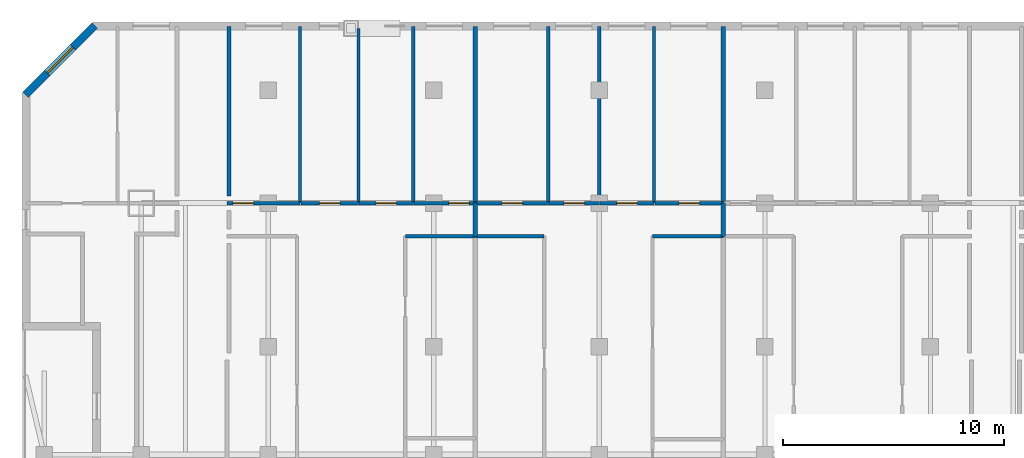
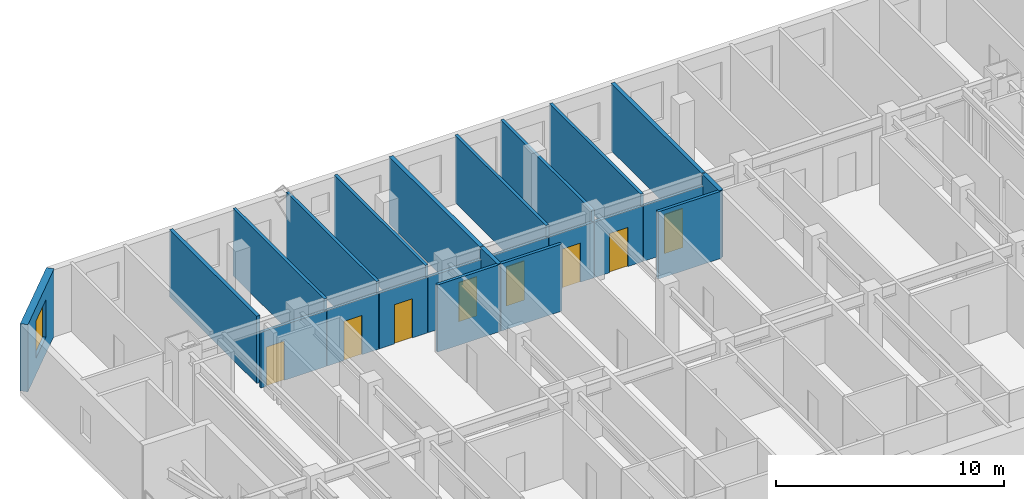
# One storey, part 7 of 11: 23 walls, 8 doors, 1 window, 9 openings.
"""IFC4 building model written with IfcOpenShell, lengths in metres."""

from ifc_helpers import new_model, si_unit, direction, frame, frame_2d, origin, place, context, subcontext, project, spatial, rectangle, extrude, material, layer, layer_set, type_object, element, fill, save


model = new_model("IFC4")

# Units and contexts
model_context = context("Model", 3, precision=1e-05, world=origin(), true_north=direction((0.0, 1.0)))
body_context = subcontext(model_context, "Body", "Model", "MODEL_VIEW")
ifc_project = project(units=[si_unit("LENGTHUNIT", "METRE"), si_unit("AREAUNIT", "SQUARE_METRE"), si_unit("VOLUMEUNIT", "CUBIC_METRE"), si_unit("PLANEANGLEUNIT", "RADIAN"), si_unit("MASSUNIT", "GRAM", prefix="KILO")], contexts=[model_context])

# Site, building, storey
site_placement = place(None, origin())
site = spatial("IfcSite", under=ifc_project, at=site_placement, CompositionType="ELEMENT")
building_placement = place(site_placement, origin())
building = spatial("IfcBuilding", under=site, at=building_placement, Name="Ventersveld Concourse Tower", CompositionType="ELEMENT")
storey_placement = place(building_placement, frame((0.0, 0.0, 111.85009765625)))
storey = spatial("IfcBuildingStorey", under=building, at=storey_placement, Name="L27", CompositionType="ELEMENT", Elevation=111.85009765625)

# Walls
ifc_material_1 = material(Name="Fire-rated autoclaved aerated masonry blockwork", Category="masonry")
ifc_layer_1 = layer(ifc_material_1, 0.179931640625)
ifc_layer_set_1 = layer_set([ifc_layer_1], Name="Fire-rated autoclaved aerated masonry blockwork")
wall_type_1 = type_object("IfcWallType", Name="WL-CORR-180", PredefinedType="PARTITIONING", material=ifc_layer_set_1)
wall_1_placement = place(storey_placement, frame((11.97998046875, 35.324951171875, 0.0), z_axis=(0.0, 0.0, 1.0), x_axis=(0.0, 1.0, 0.0)))
element("IfcWall", 1, at=wall_1_placement, inside=storey, type_object=wall_type_1, Name="L27 Room Enclosure Wall SP-L27-27N1-BR1", PredefinedType="PARTITIONING", context=body_context, shape_type="SweptSolid", body=[
    extrude(rectangle(XDim=7.6650390625, YDim=0.179931640625, at=frame_2d((3.83251953125, 0.0))), origin(), (0.0, 0.0, 1.0), 3.599853515625),
])
ifc_layer_2 = layer(ifc_material_1, 0.199951171875)
ifc_layer_set_2 = layer_set([ifc_layer_2], Name="Fire-rated autoclaved aerated masonry blockwork")
wall_type_2 = type_object("IfcWallType", Name="WL-DEMISE-200", PredefinedType="PARTITIONING", material=ifc_layer_set_2)
wall_2_placement = place(storey_placement, frame((23.1298828125, 33.4951171875, 0.0), z_axis=(0.0, 0.0, 1.0), x_axis=(0.0, 1.0, 0.0)))
element("IfcWall", 2, at=wall_2_placement, inside=storey, type_object=wall_type_2, Name="L27 Interior Partition SP-L27-27N1-LIV-SP-L27-27N2-LIV", PredefinedType="PARTITIONING", context=body_context, shape_type="SweptSolid", body=[
    extrude(rectangle(XDim=1.509765625, YDim=0.199951171875, at=frame_2d((0.7548828125, 0.0))), origin(), (0.0, 0.0, 1.0), 3.599853515625),
])
wall_3_placement = place(storey_placement, frame((23.1298828125, 35.034912109375, 0.0), z_axis=(0.0, 0.0, 1.0), x_axis=(0.0, 1.0, 0.0)))
element("IfcWall", 3, at=wall_3_placement, inside=storey, type_object=wall_type_2, Name="L27 Interior Partition SP-L27-27N1-BR4-SP-L27-27N2-BR1", PredefinedType="PARTITIONING", context=body_context, shape_type="SweptSolid", body=[
    extrude(rectangle(XDim=7.955078125, YDim=0.199951171875, at=frame_2d((3.9775390625, 0.0))), origin(), (0.0, 0.0, 1.0), 3.599853515625),
])
wall_4_placement = place(storey_placement, frame((34.3701171875, 33.4951171875, 0.0), z_axis=(0.0, 0.0, 1.0), x_axis=(0.0, 1.0, 0.0)))
element("IfcWall", 4, at=wall_4_placement, inside=storey, type_object=wall_type_2, Name="L27 Interior Partition SP-L27-27N2-LIV-SP-L27-27N3-LIV", PredefinedType="PARTITIONING", context=body_context, shape_type="SweptSolid", body=[
    extrude(rectangle(XDim=1.509765625, YDim=0.199951171875, at=frame_2d((0.7548828125, 0.0))), origin(), (0.0, 0.0, 1.0), 3.599853515625),
])
wall_5_placement = place(storey_placement, frame((34.3701171875, 35.034912109375, 0.0), z_axis=(0.0, 0.0, 1.0), x_axis=(0.0, 1.0, 0.0)))
element("IfcWall", 5, at=wall_5_placement, inside=storey, type_object=wall_type_2, Name="L27 Interior Partition SP-L27-27N2-BR4-SP-L27-27N3-BR1", PredefinedType="PARTITIONING", context=body_context, shape_type="SweptSolid", body=[
    extrude(rectangle(XDim=7.955078125, YDim=0.199951171875, at=frame_2d((3.9775390625, 0.0))), origin(), (0.0, 0.0, 1.0), 3.599853515625),
])
ifc_material_2 = material(Name="Autoclaved aerated masonry blockwork", Category="masonry")
ifc_layer_3 = layer(ifc_material_2, 0.14990234375)
ifc_layer_set_3 = layer_set([ifc_layer_3], Name="Autoclaved aerated masonry blockwork")
wall_type_3 = type_object("IfcWallType", Name="WL-INT-150", PredefinedType="PARTITIONING", material=ifc_layer_set_3)
wall_6_placement = place(storey_placement, frame((19.958740234375, 33.5, 0.0), z_axis=(0.0, 0.0, 1.0), x_axis=(1.0, 0.0, 0.0)))
element("IfcWall", 6, at=wall_6_placement, inside=storey, type_object=wall_type_3, Name="L27 Interior Partition SP-L27-27N1-LIV-SP-L27-27N1-DENS", PredefinedType="PARTITIONING", context=body_context, shape_type="SweptSolid", body=[
    extrude(rectangle(XDim=3.17626953125, YDim=0.14990234375, at=frame_2d((1.588134765625, 0.0))), origin(), (0.0, 0.0, 1.0), 3.599853515625),
])

# Wall, opening, door
wall_7_placement = place(storey_placement, frame((11.885009765625, 35.0, 0.0), z_axis=(0.0, 0.0, 1.0), x_axis=(1.0, 0.0, 0.0)))
wall_7 = element("IfcWall", 7, at=wall_7_placement, inside=storey, type_object=wall_type_3, Name="L27 Interior Partition SP-L27-27N1-LIV-SP-L27-27N1-BR1", PredefinedType="PARTITIONING", context=body_context, shape_type="SweptSolid", body=[
    extrude(rectangle(XDim=3.31298828125, YDim=0.14990234375, at=frame_2d((1.656494140625, 0.0))), origin(), (0.0, 0.0, 1.0), 2.982666015625),
])
opening_1_placement = place(wall_7_placement, frame((0.280029296875, 0.0, 0.0)))
opening_1 = element("IfcOpeningElement", 8, at=opening_1_placement, cuts=wall_7, Name="Opening ID1", PredefinedType="OPENING", context=body_context, shape_type="SweptSolid", body=[
    extrude(rectangle(XDim=0.919921875, YDim=2.10009765625, at=frame_2d((0.4599609375, 1.050048828125))), frame((0.0, 0.0849609375, 0.0), z_axis=(0.0, -1.0, 0.0), x_axis=(1.0, 0.0, 0.0)), (0.0, 0.0, 1.0), 0.169921875),
])
ifc_material_3 = material(Name="Solid-core hardwood veneer timber", Category="wood")
door_type = type_object("IfcDoorType", Name="DR-ROOM-092", OperationType="NOTDEFINED", PredefinedType="DOOR", material=ifc_material_3)
door_1_placement = place(opening_1_placement, origin())
door_1 = element("IfcDoor", 9, at=door_1_placement, inside=storey, type_object=door_type, Name="L27 Interior Door SP-L27-27N1-LIV to SP-L27-27N1-BR1 (D-L27-1345)", OperationType="SINGLE_SWING_LEFT", OverallHeight=2.10009765625, OverallWidth=0.919921875, PredefinedType="DOOR", context=body_context, shape_type="SweptSolid", body=[
    extrude(rectangle(XDim=0.919921875, YDim=2.10009765625, at=frame_2d((0.4599609375, 1.050048828125))), frame((0.0, 0.02490234375, 0.0), z_axis=(0.0, -1.0, 0.0), x_axis=(1.0, 0.0, 0.0)), (0.0, 0.0, 1.0), 0.050048828125),
])
fill(opening_1, door_1)

wall_8_placement = place(storey_placement, frame((15.22802734375, 35.0, 0.0), z_axis=(0.0, 0.0, 1.0), x_axis=(1.0, 0.0, 0.0)))
wall_8 = element("IfcWall", 10, at=wall_8_placement, inside=storey, type_object=wall_type_3, Name="L27 Interior Partition SP-L27-27N1-LIV-SP-L27-27N1-BR2", PredefinedType="PARTITIONING", context=body_context, shape_type="SweptSolid", body=[
    extrude(rectangle(XDim=2.61572265625, YDim=0.14990234375, at=frame_2d((1.307861328125, 0.0))), origin(), (0.0, 0.0, 1.0), 2.982666015625),
])
opening_2_placement = place(wall_8_placement, frame((0.847900390625, 0.0, 0.0)))
opening_2 = element("IfcOpeningElement", 11, at=opening_2_placement, cuts=wall_8, Name="Opening ID1", PredefinedType="OPENING", context=body_context, shape_type="SweptSolid", body=[
    extrude(rectangle(XDim=0.919921875, YDim=2.10009765625, at=frame_2d((0.4599609375, 1.050048828125))), frame((0.0, 0.0849609375, 0.0), z_axis=(0.0, -1.0, 0.0), x_axis=(1.0, 0.0, 0.0)), (0.0, 0.0, 1.0), 0.169921875),
])
door_2_placement = place(opening_2_placement, origin())
door_2 = element("IfcDoor", 12, at=door_2_placement, inside=storey, type_object=door_type, Name="L27 Interior Door SP-L27-27N1-LIV to SP-L27-27N1-BR2 (D-L27-1346)", OperationType="SINGLE_SWING_RIGHT", OverallHeight=2.10009765625, OverallWidth=0.919921875, PredefinedType="DOOR", context=body_context, shape_type="SweptSolid", body=[
    extrude(rectangle(XDim=0.919921875, YDim=2.10009765625, at=frame_2d((0.4599609375, 1.050048828125))), frame((0.0, 0.02490234375, 0.0), z_axis=(0.0, -1.0, 0.0), x_axis=(1.0, 0.0, 0.0)), (0.0, 0.0, 1.0), 0.050048828125),
])
fill(opening_2, door_2)

wall_9_placement = place(storey_placement, frame((17.873779296875, 35.0, 0.0), z_axis=(0.0, 0.0, 1.0), x_axis=(1.0, 0.0, 0.0)))
wall_9 = element("IfcWall", 13, at=wall_9_placement, inside=storey, type_object=wall_type_3, Name="L27 Interior Partition SP-L27-27N1-LIV-SP-L27-27N1-BR3", PredefinedType="PARTITIONING", context=body_context, shape_type="SweptSolid", body=[
    extrude(rectangle(XDim=2.451171875, YDim=0.14990234375, at=frame_2d((1.2255859375, 0.0))), origin(), (0.0, 0.0, 1.0), 2.982666015625),
])
opening_3_placement = place(wall_9_placement, frame((0.765625, 0.0, 0.0)))
opening_3 = element("IfcOpeningElement", 14, at=opening_3_placement, cuts=wall_9, Name="Opening ID1", PredefinedType="OPENING", context=body_context, shape_type="SweptSolid", body=[
    extrude(rectangle(XDim=0.919921875, YDim=2.10009765625, at=frame_2d((0.4599609375, 1.050048828125))), frame((0.0, 0.0849609375, 0.0), z_axis=(0.0, -1.0, 0.0), x_axis=(1.0, 0.0, 0.0)), (0.0, 0.0, 1.0), 0.169921875),
])
door_3_placement = place(opening_3_placement, origin())
door_3 = element("IfcDoor", 15, at=door_3_placement, inside=storey, type_object=door_type, Name="L27 Interior Door SP-L27-27N1-LIV to SP-L27-27N1-BR3 (D-L27-1347)", OperationType="SINGLE_SWING_LEFT", OverallHeight=2.10009765625, OverallWidth=0.919921875, PredefinedType="DOOR", context=body_context, shape_type="SweptSolid", body=[
    extrude(rectangle(XDim=0.919921875, YDim=2.10009765625, at=frame_2d((0.4599609375, 1.050048828125))), frame((0.0, 0.02490234375, 0.0), z_axis=(0.0, -1.0, 0.0), x_axis=(1.0, 0.0, 0.0)), (0.0, 0.0, 1.0), 0.050048828125),
])
fill(opening_3, door_3)

wall_10_placement = place(storey_placement, frame((20.35498046875, 35.0, 0.0), z_axis=(0.0, 0.0, 1.0), x_axis=(1.0, 0.0, 0.0)))
wall_10 = element("IfcWall", 16, at=wall_10_placement, inside=storey, type_object=wall_type_3, Name="L27 Interior Partition SP-L27-27N1-LIV-SP-L27-27N1-BR4", PredefinedType="PARTITIONING", context=body_context, shape_type="SweptSolid", body=[
    extrude(rectangle(XDim=2.780029296875, YDim=0.14990234375, at=frame_2d((1.39013671875, 0.0))), origin(), (0.0, 0.0, 1.0), 2.982666015625),
])
opening_4_placement = place(wall_10_placement, frame((1.580078125, 0.0, 0.0)))
opening_4 = element("IfcOpeningElement", 17, at=opening_4_placement, cuts=wall_10, Name="Opening ID1", PredefinedType="OPENING", context=body_context, shape_type="SweptSolid", body=[
    extrude(rectangle(XDim=0.919921875, YDim=2.10009765625, at=frame_2d((0.4599609375, 1.050048828125))), frame((0.0, 0.0849609375, 0.0), z_axis=(0.0, -1.0, 0.0), x_axis=(1.0, 0.0, 0.0)), (0.0, 0.0, 1.0), 0.169921875),
])
door_4_placement = place(opening_4_placement, origin())
door_4 = element("IfcDoor", 18, at=door_4_placement, inside=storey, type_object=door_type, Name="L27 Interior Door SP-L27-27N1-LIV to SP-L27-27N1-BR4 (D-L27-1348)", OperationType="SINGLE_SWING_RIGHT", OverallHeight=2.10009765625, OverallWidth=0.919921875, PredefinedType="DOOR", context=body_context, shape_type="SweptSolid", body=[
    extrude(rectangle(XDim=0.919921875, YDim=2.10009765625, at=frame_2d((0.4599609375, 1.050048828125))), frame((0.0, 0.02490234375, 0.0), z_axis=(0.0, -1.0, 0.0), x_axis=(1.0, 0.0, 0.0)), (0.0, 0.0, 1.0), 0.050048828125),
])
fill(opening_4, door_4)

# Walls
wall_11_placement = place(storey_placement, frame((15.193115234375, 34.9951171875, 0.0), z_axis=(0.0, 0.0, 1.0), x_axis=(0.0, 1.0, 0.0)))
element("IfcWall", 19, at=wall_11_placement, inside=storey, type_object=wall_type_3, Name="L27 Interior Partition SP-L27-27N1-BR1-SP-L27-27N1-BR2", PredefinedType="PARTITIONING", context=body_context, shape_type="SweptSolid", body=[
    extrude(rectangle(XDim=7.994873046875, YDim=0.14990234375, at=frame_2d((3.99755859375, 0.0))), origin(), (0.0, 0.0, 1.0), 3.599853515625),
])
wall_12_placement = place(storey_placement, frame((17.838623046875, 34.9951171875, 0.0), z_axis=(0.0, 0.0, 1.0), x_axis=(0.0, 1.0, 0.0)))
element("IfcWall", 20, at=wall_12_placement, inside=storey, type_object=wall_type_3, Name="L27 Interior Partition SP-L27-27N1-BR2-SP-L27-27N1-BR3", PredefinedType="PARTITIONING", context=body_context, shape_type="SweptSolid", body=[
    extrude(rectangle(XDim=7.906982421875, YDim=0.14990234375, at=frame_2d((3.95361328125, 0.0))), origin(), (0.0, 0.0, 1.0), 3.599853515625),
])
wall_13_placement = place(storey_placement, frame((20.31982421875, 34.9951171875, 0.0), z_axis=(0.0, 0.0, 1.0), x_axis=(0.0, 1.0, 0.0)))
element("IfcWall", 21, at=wall_13_placement, inside=storey, type_object=wall_type_3, Name="L27 Interior Partition SP-L27-27N1-BR3-SP-L27-27N1-BR4", PredefinedType="PARTITIONING", context=body_context, shape_type="SweptSolid", body=[
    extrude(rectangle(XDim=7.994873046875, YDim=0.14990234375, at=frame_2d((3.99755859375, 0.0))), origin(), (0.0, 0.0, 1.0), 3.599853515625),
])
wall_14_placement = place(storey_placement, frame((23.1650390625, 33.5, 0.0), z_axis=(0.0, 0.0, 1.0), x_axis=(1.0, 0.0, 0.0)))
element("IfcWall", 22, at=wall_14_placement, inside=storey, type_object=wall_type_3, Name="L27 Interior Partition SP-L27-27N2-LIV-SP-L27-27N2-MEDL0", PredefinedType="PARTITIONING", context=body_context, shape_type="SweptSolid", body=[
    extrude(rectangle(XDim=3.090087890625, YDim=0.14990234375, at=frame_2d((1.544921875, 0.0))), origin(), (0.0, 0.0, 1.0), 3.599853515625),
])
wall_15_placement = place(storey_placement, frame((31.15283203125, 33.5, 0.0), z_axis=(0.0, 0.0, 1.0), x_axis=(1.0, 0.0, 0.0)))
element("IfcWall", 23, at=wall_15_placement, inside=storey, type_object=wall_type_3, Name="L27 Interior Partition SP-L27-27N2-LIV-SP-L27-27N2-DENS", PredefinedType="PARTITIONING", context=body_context, shape_type="SweptSolid", body=[
    extrude(rectangle(XDim=3.22216796875, YDim=0.14990234375, at=frame_2d((1.611083984375, 0.0))), origin(), (0.0, 0.0, 1.0), 3.599853515625),
])

# Wall, opening, door
wall_16_placement = place(storey_placement, frame((23.1650390625, 35.0, 0.0), z_axis=(0.0, 0.0, 1.0), x_axis=(1.0, 0.0, 0.0)))
wall_16 = element("IfcWall", 24, at=wall_16_placement, inside=storey, type_object=wall_type_3, Name="L27 Interior Partition SP-L27-27N2-LIV-SP-L27-27N2-BR1", PredefinedType="PARTITIONING", context=body_context, shape_type="SweptSolid", body=[
    extrude(rectangle(XDim=3.27294921875, YDim=0.14990234375, at=frame_2d((1.636474609375, 0.0))), origin(), (0.0, 0.0, 1.0), 2.982666015625),
])
opening_5_placement = place(wall_16_placement, frame((1.176513671875, 0.0, 0.0)))
opening_5 = element("IfcOpeningElement", 25, at=opening_5_placement, cuts=wall_16, Name="Opening ID1", PredefinedType="OPENING", context=body_context, shape_type="SweptSolid", body=[
    extrude(rectangle(XDim=0.919921875, YDim=2.10009765625, at=frame_2d((0.4599609375, 1.050048828125))), frame((0.0, 0.0849609375, 0.0), z_axis=(0.0, -1.0, 0.0), x_axis=(1.0, 0.0, 0.0)), (0.0, 0.0, 1.0), 0.169921875),
])
door_5_placement = place(opening_5_placement, origin())
door_5 = element("IfcDoor", 26, at=door_5_placement, inside=storey, type_object=door_type, Name="L27 Interior Door SP-L27-27N2-LIV to SP-L27-27N2-BR1 (D-L27-1357)", OperationType="SINGLE_SWING_LEFT", OverallHeight=2.10009765625, OverallWidth=0.919921875, PredefinedType="DOOR", context=body_context, shape_type="SweptSolid", body=[
    extrude(rectangle(XDim=0.919921875, YDim=2.10009765625, at=frame_2d((0.4599609375, 1.050048828125))), frame((0.0, 0.02490234375, 0.0), z_axis=(0.0, -1.0, 0.0), x_axis=(1.0, 0.0, 0.0)), (0.0, 0.0, 1.0), 0.050048828125),
])
fill(opening_5, door_5)

wall_17_placement = place(storey_placement, frame((26.468017578125, 35.0, 0.0), z_axis=(0.0, 0.0, 1.0), x_axis=(1.0, 0.0, 0.0)))
wall_17 = element("IfcWall", 27, at=wall_17_placement, inside=storey, type_object=wall_type_3, Name="L27 Interior Partition SP-L27-27N2-LIV-SP-L27-27N2-BR2", PredefinedType="PARTITIONING", context=body_context, shape_type="SweptSolid", body=[
    extrude(rectangle(XDim=2.286865234375, YDim=0.14990234375, at=frame_2d((1.1435546875, 0.0))), origin(), (0.0, 0.0, 1.0), 2.982666015625),
])
opening_6_placement = place(wall_17_placement, frame((0.683349609375, 0.0, 0.0)))
opening_6 = element("IfcOpeningElement", 28, at=opening_6_placement, cuts=wall_17, Name="Opening ID1", PredefinedType="OPENING", context=body_context, shape_type="SweptSolid", body=[
    extrude(rectangle(XDim=0.919921875, YDim=2.10009765625, at=frame_2d((0.4599609375, 1.050048828125))), frame((0.0, 0.0849609375, 0.0), z_axis=(0.0, -1.0, 0.0), x_axis=(1.0, 0.0, 0.0)), (0.0, 0.0, 1.0), 0.169921875),
])
door_6_placement = place(opening_6_placement, origin())
door_6 = element("IfcDoor", 29, at=door_6_placement, inside=storey, type_object=door_type, Name="L27 Interior Door SP-L27-27N2-LIV to SP-L27-27N2-BR2 (D-L27-1358)", OperationType="SINGLE_SWING_RIGHT", OverallHeight=2.10009765625, OverallWidth=0.919921875, PredefinedType="DOOR", context=body_context, shape_type="SweptSolid", body=[
    extrude(rectangle(XDim=0.919921875, YDim=2.10009765625, at=frame_2d((0.4599609375, 1.050048828125))), frame((0.0, 0.02490234375, 0.0), z_axis=(0.0, -1.0, 0.0), x_axis=(1.0, 0.0, 0.0)), (0.0, 0.0, 1.0), 0.050048828125),
])
fill(opening_6, door_6)

wall_18_placement = place(storey_placement, frame((28.784912109375, 35.0, 0.0), z_axis=(0.0, 0.0, 1.0), x_axis=(1.0, 0.0, 0.0)))
wall_18 = element("IfcWall", 30, at=wall_18_placement, inside=storey, type_object=wall_type_3, Name="L27 Interior Partition SP-L27-27N2-LIV-SP-L27-27N2-BR3", PredefinedType="PARTITIONING", context=body_context, shape_type="SweptSolid", body=[
    extrude(rectangle(XDim=2.451171875, YDim=0.14990234375, at=frame_2d((1.2255859375, 0.0))), origin(), (0.0, 0.0, 1.0), 2.982666015625),
])
opening_7_placement = place(wall_18_placement, frame((0.765625, 0.0, 0.0)))
opening_7 = element("IfcOpeningElement", 31, at=opening_7_placement, cuts=wall_18, Name="Opening ID1", PredefinedType="OPENING", context=body_context, shape_type="SweptSolid", body=[
    extrude(rectangle(XDim=0.919921875, YDim=2.10009765625, at=frame_2d((0.4599609375, 1.050048828125))), frame((0.0, 0.0849609375, 0.0), z_axis=(0.0, -1.0, 0.0), x_axis=(1.0, 0.0, 0.0)), (0.0, 0.0, 1.0), 0.169921875),
])
door_7_placement = place(opening_7_placement, origin())
door_7 = element("IfcDoor", 32, at=door_7_placement, inside=storey, type_object=door_type, Name="L27 Interior Door SP-L27-27N2-LIV to SP-L27-27N2-BR3 (D-L27-1359)", OperationType="SINGLE_SWING_LEFT", OverallHeight=2.10009765625, OverallWidth=0.919921875, PredefinedType="DOOR", context=body_context, shape_type="SweptSolid", body=[
    extrude(rectangle(XDim=0.919921875, YDim=2.10009765625, at=frame_2d((0.4599609375, 1.050048828125))), frame((0.0, 0.02490234375, 0.0), z_axis=(0.0, -1.0, 0.0), x_axis=(1.0, 0.0, 0.0)), (0.0, 0.0, 1.0), 0.050048828125),
])
fill(opening_7, door_7)

wall_19_placement = place(storey_placement, frame((31.26611328125, 35.0, 0.0), z_axis=(0.0, 0.0, 1.0), x_axis=(1.0, 0.0, 0.0)))
wall_19 = element("IfcWall", 33, at=wall_19_placement, inside=storey, type_object=wall_type_3, Name="L27 Interior Partition SP-L27-27N2-LIV-SP-L27-27N2-BR4", PredefinedType="PARTITIONING", context=body_context, shape_type="SweptSolid", body=[
    extrude(rectangle(XDim=3.10888671875, YDim=0.14990234375, at=frame_2d((1.554443359375, 0.0))), origin(), (0.0, 0.0, 1.0), 2.982666015625),
])
opening_8_placement = place(wall_19_placement, frame((1.094482421875, 0.0, 0.0)))
opening_8 = element("IfcOpeningElement", 34, at=opening_8_placement, cuts=wall_19, Name="Opening ID1", PredefinedType="OPENING", context=body_context, shape_type="SweptSolid", body=[
    extrude(rectangle(XDim=0.919921875, YDim=2.10009765625, at=frame_2d((0.4599609375, 1.050048828125))), frame((0.0, 0.0849609375, 0.0), z_axis=(0.0, -1.0, 0.0), x_axis=(1.0, 0.0, 0.0)), (0.0, 0.0, 1.0), 0.169921875),
])
door_8_placement = place(opening_8_placement, origin())
door_8 = element("IfcDoor", 35, at=door_8_placement, inside=storey, type_object=door_type, Name="L27 Interior Door SP-L27-27N2-LIV to SP-L27-27N2-BR4 (D-L27-1360)", OperationType="SINGLE_SWING_RIGHT", OverallHeight=2.10009765625, OverallWidth=0.919921875, PredefinedType="DOOR", context=body_context, shape_type="SweptSolid", body=[
    extrude(rectangle(XDim=0.919921875, YDim=2.10009765625, at=frame_2d((0.4599609375, 1.050048828125))), frame((0.0, 0.02490234375, 0.0), z_axis=(0.0, -1.0, 0.0), x_axis=(1.0, 0.0, 0.0)), (0.0, 0.0, 1.0), 0.050048828125),
])
fill(opening_8, door_8)

# Walls
for number, where, z_axis, x_axis, name in (
    (36, (26.43310546875, 34.9951171875, 0.0), (0.0, 0.0, 1.0), (0.0, 1.0, 0.0), "L27 Interior Partition SP-L27-27N2-BR1-SP-L27-27N2-BR2"),
    (37, (28.75, 34.9951171875, 0.0), (0.0, 0.0, 1.0), (0.0, 1.0, 0.0), "L27 Interior Partition SP-L27-27N2-BR2-SP-L27-27N2-BR3"),
    (38, (31.231201171875, 34.9951171875, 0.0), (0.0, 0.0, 1.0), (0.0, 1.0, 0.0), "L27 Interior Partition SP-L27-27N2-BR3-SP-L27-27N2-BR4"),
):
    element("IfcWall", number, at=place(storey_placement, frame(where, z_axis=z_axis, x_axis=x_axis)), inside=storey, type_object=wall_type_3, Name=name, PredefinedType="PARTITIONING", context=body_context, shape_type="SweptSolid", body=[
        extrude(rectangle(XDim=7.994873046875, YDim=0.14990234375, at=frame_2d((3.99755859375, 0.0))), origin(), (0.0, 0.0, 1.0), 3.599853515625),
    ])

# Wall, opening, window
ifc_material_4 = material(Name="Precast concrete C45/55", Category="concrete")
ifc_layer_4 = layer(ifc_material_4, 0.35009765625)
ifc_layer_set_4 = layer_set([ifc_layer_4], Name="Precast concrete C45/55")
wall_type_4 = type_object("IfcWallType", Name="WL-PREC-350", PredefinedType="SOLIDWALL", material=ifc_layer_set_4)
wall_20_placement = place(storey_placement, frame((5.8955078125, 43.048095703125, 0.0), z_axis=(0.0, 0.0, 1.0), x_axis=(-0.707106781187, -0.707106781187, 0.0)))
wall_20 = element("IfcWall", 39, at=wall_20_placement, inside=storey, type_object=wall_type_4, Name="L27 Highveld Precast Facade Wall E10", PredefinedType="SOLIDWALL", context=body_context, shape_type="SweptSolid", body=[
    extrude(rectangle(XDim=4.445556640625, YDim=0.35009765625, at=frame_2d((2.22265625, 0.0))), origin(), (0.0, 0.0, 1.0), 3.599853515625),
])
opening_9_placement = place(wall_20_placement, frame((1.397705078125, 0.0, 0.8798828125)))
opening_9 = element("IfcOpeningElement", 40, at=opening_9_placement, cuts=wall_20, Name="Opening W6", PredefinedType="OPENING", context=body_context, shape_type="SweptSolid", body=[
    extrude(rectangle(XDim=1.64990234375, YDim=2.0, at=frame_2d((0.824951171875, 1.0))), frame((0.0, 0.18505859375, 0.0), z_axis=(0.0, -1.0, 0.0), x_axis=(1.0, 0.0, 0.0)), (0.0, 0.0, 1.0), 0.3701171875),
])
ifc_material_5 = material(Name="Tempered acoustic Low-E IGU", Category="glass")
window_type = type_object("IfcWindowType", Name="WIN-165x200", PartitioningType="SINGLE_PANEL", PredefinedType="WINDOW", material=ifc_material_5)
window_placement = place(opening_9_placement, origin())
window = element("IfcWindow", 41, at=window_placement, inside=storey, type_object=window_type, Name="L27 Punched Low-E Window W-0323", OverallHeight=2.0, OverallWidth=1.64990234375, PartitioningType="SINGLE_PANEL", PredefinedType="WINDOW", context=body_context, shape_type="SweptSolid", body=[
    extrude(rectangle(XDim=1.64990234375, YDim=2.0, at=frame_2d((0.824951171875, 1.0))), frame((0.0, 0.030029296875, 0.0), z_axis=(0.0, -1.0, 0.0), x_axis=(1.0, 0.0, 0.0)), (0.0, 0.0, 1.0), 0.06005859375),
])
fill(opening_9, window)

save(model, "model.ifc")
